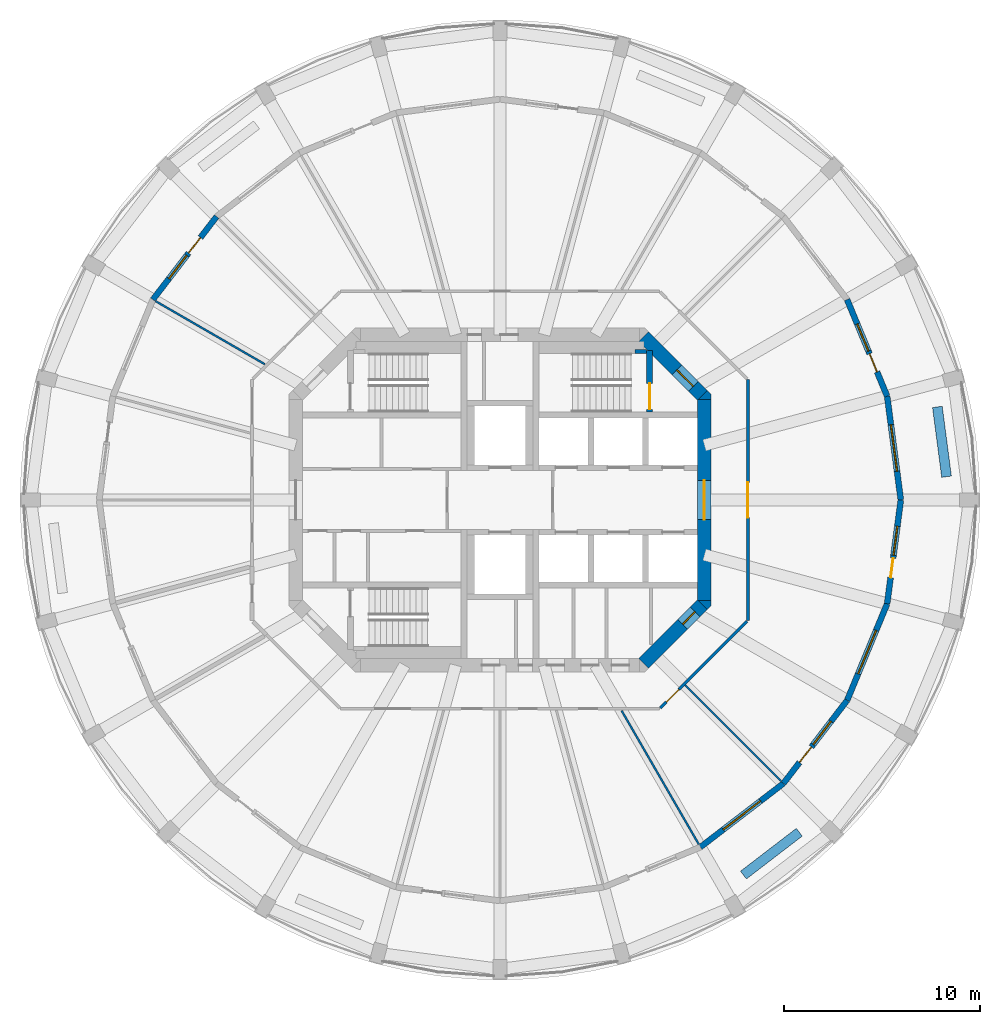
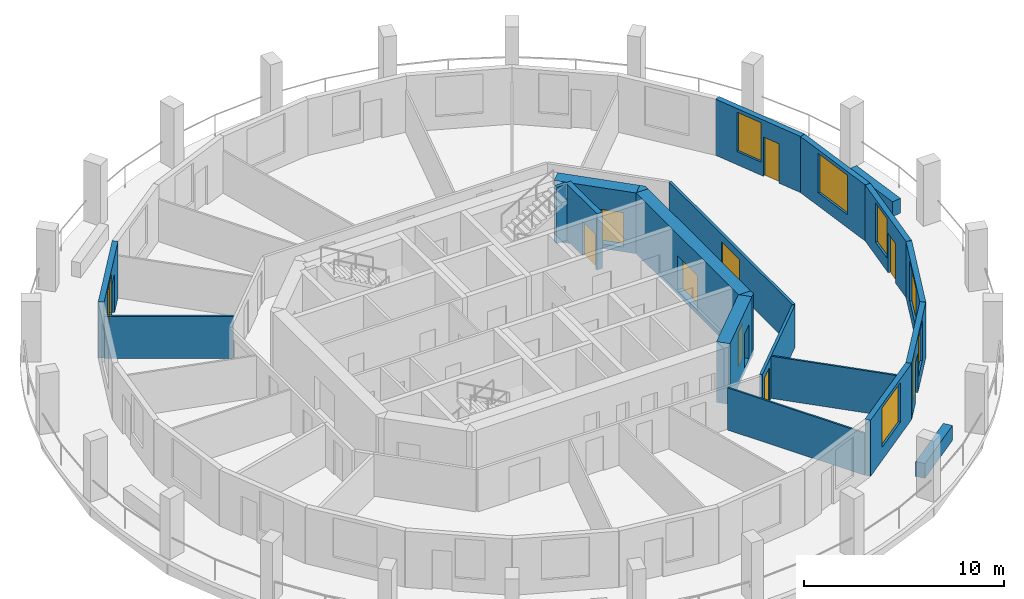
# One storey, part 5 of 9: 21 walls, 10 doors, 7 windows, 17 openings.
"""IFC4 building model written with IfcOpenShell, lengths in metres."""

from ifc_helpers import new_model, si_unit, direction, frame, frame_2d, origin, place, context, subcontext, project, spatial, polyline, rectangle, outline, extrude, material, layer, layer_set, type_object, element, fill, save


model = new_model("IFC4")

# Units and contexts
model_context = context("Model", 3, precision=1e-05, world=origin(), true_north=direction((0.0, 1.0)))
body_context = subcontext(model_context, "Body", "Model", "MODEL_VIEW")
ifc_project = project(units=[si_unit("LENGTHUNIT", "METRE"), si_unit("AREAUNIT", "SQUARE_METRE"), si_unit("VOLUMEUNIT", "CUBIC_METRE"), si_unit("PLANEANGLEUNIT", "RADIAN"), si_unit("MASSUNIT", "GRAM", prefix="KILO")], contexts=[model_context])

# Site, building, storey
site_placement = place(None, origin())
site = spatial("IfcSite", under=ifc_project, at=site_placement, CompositionType="ELEMENT")
building_placement = place(site_placement, origin())
building = spatial("IfcBuilding", under=site, at=building_placement, Name="Torre Triforio", CompositionType="ELEMENT")
storey_placement = place(building_placement, frame((0.0, 0.0, 240.89990234375)))
storey = spatial("IfcBuildingStorey", under=building, at=storey_placement, Name="L55", CompositionType="ELEMENT", Elevation=240.89990234375)

# Wall, opening, door
ifc_material_1 = material(Name="Concrete C50", Category="concrete")
ifc_layer_1 = layer(ifc_material_1, 0.699951171875)
ifc_layer_set_1 = layer_set([ifc_layer_1], Name="Concrete C50")
wall_type_1 = type_object("IfcWallType", Name="Core wall 700 mm C50 EI 120", PredefinedType="SHEAR", material=ifc_layer_set_1)
wall_1_placement = place(storey_placement, frame((10.449951171875, -5.1298828125, -0.27978515625), z_axis=(0.0, 0.0, 1.0), x_axis=(0.0, 1.0, 0.0)))
wall_1 = element("IfcWall", 1, at=wall_1_placement, inside=storey, type_object=wall_type_1, Name="Core wall", PredefinedType="SHEAR", context=body_context, shape_type="SweptSolid", body=[
    extrude(rectangle(XDim=10.259765625, YDim=0.699951171875, at=frame_2d((5.1298828125, 0.0))), origin(), (0.0, 0.0, 1.0), 3.699951171875),
])
opening_1_placement = place(wall_1_placement, frame((4.1298828125, 0.0, 0.280029296875)))
opening_1 = element("IfcOpeningElement", 2, at=opening_1_placement, cuts=wall_1, Name="Opening E-RING", PredefinedType="OPENING", context=body_context, shape_type="SweptSolid", body=[
    extrude(rectangle(XDim=2.0, YDim=2.10009765625, at=frame_2d((1.0, 1.050048828125))), frame((0.0, 0.35986328125, 0.0), z_axis=(0.0, -1.0, 0.0), x_axis=(1.0, 0.0, 0.0)), (0.0, 0.0, 1.0), 0.719970703125),
])
ifc_material_2 = material(Name="Hollow metal fire door leaf")
door_type_1 = type_object("IfcDoorType", Name="Lobby door 2000 x 2100 EI 60", OperationType="DOUBLE_DOOR_SINGLE_SWING", PredefinedType="DOOR", material=ifc_material_2)
door_1_placement = place(opening_1_placement, origin())
door_1 = element("IfcDoor", 3, at=door_1_placement, inside=storey, type_object=door_type_1, Name="Core door E-RING", OperationType="DOUBLE_DOOR_SINGLE_SWING", OverallHeight=2.10009765625, OverallWidth=2.0, PredefinedType="DOOR", context=body_context, shape_type="SweptSolid", body=[
    extrude(rectangle(XDim=2.0, YDim=2.10009765625, at=frame_2d((1.0, 1.050048828125))), frame((0.0, 0.02490234375, 0.0), z_axis=(0.0, -1.0, 0.0), x_axis=(1.0, 0.0, 0.0)), (0.0, 0.0, 1.0), 0.050048828125),
])
fill(opening_1, door_1)

wall_2_placement = place(storey_placement, frame((7.347412109375, 8.347412109375, -0.27978515625), z_axis=(0.0, 0.0, 1.0), x_axis=(0.707106781187, -0.707106781187, 0.0)))
wall_2 = element("IfcWall", 4, at=wall_2_placement, inside=storey, type_object=wall_type_1, Name="Core wall", PredefinedType="SHEAR", context=body_context, shape_type="SweptSolid", body=[
    extrude(rectangle(XDim=4.24267578125, YDim=0.699951171875, at=frame_2d((2.121337890625, 0.0))), origin(), (0.0, 0.0, 1.0), 3.699951171875),
])
opening_2_placement = place(wall_2_placement, frame((2.392578125, 0.0, 0.280029296875)))
opening_2 = element("IfcOpeningElement", 5, at=opening_2_placement, cuts=wall_2, Name="Opening ST2-EXIT", PredefinedType="OPENING", context=body_context, shape_type="SweptSolid", body=[
    extrude(rectangle(XDim=1.199951171875, YDim=2.10009765625, at=frame_2d((0.60009765625, 1.050048828125))), frame((0.0, 0.35986328125, 0.0), z_axis=(0.0, -1.0, 0.0), x_axis=(1.0, 0.0, 0.0)), (0.0, 0.0, 1.0), 0.719970703125),
])
door_type_2 = type_object("IfcDoorType", Name="Stair lobby door 1200 x 2100 EI 60", OperationType="NOTDEFINED", PredefinedType="DOOR", material=ifc_material_2)
door_2_placement = place(opening_2_placement, origin())
door_2 = element("IfcDoor", 6, at=door_2_placement, inside=storey, type_object=door_type_2, Name="Core door ST2-EXIT", OperationType="SINGLE_SWING_RIGHT", OverallHeight=2.10009765625, OverallWidth=1.199951171875, PredefinedType="DOOR", context=body_context, shape_type="SweptSolid", body=[
    extrude(rectangle(XDim=1.199951171875, YDim=2.10009765625, at=frame_2d((0.60009765625, 1.050048828125))), frame((0.0, 0.02490234375, 0.0), z_axis=(0.0, -1.0, 0.0), x_axis=(1.0, 0.0, 0.0)), (0.0, 0.0, 1.0), 0.050048828125),
])
fill(opening_2, door_2)

wall_3_placement = place(storey_placement, frame((10.347412109375, -5.347412109375, -0.27978515625), z_axis=(0.0, 0.0, 1.0), x_axis=(-0.707106781187, -0.707106781187, 0.0)))
wall_3 = element("IfcWall", 7, at=wall_3_placement, inside=storey, type_object=wall_type_1, Name="Core wall", PredefinedType="SHEAR", context=body_context, shape_type="SweptSolid", body=[
    extrude(rectangle(XDim=4.24267578125, YDim=0.699951171875, at=frame_2d((2.121337890625, 0.0))), origin(), (0.0, 0.0, 1.0), 3.699951171875),
])
opening_3_placement = place(wall_3_placement, frame((0.52001953125, 0.0, 0.280029296875)))
opening_3 = element("IfcOpeningElement", 8, at=opening_3_placement, cuts=wall_3, Name="Opening SE-04", PredefinedType="OPENING", context=body_context, shape_type="SweptSolid", body=[
    extrude(rectangle(XDim=0.89990234375, YDim=2.10009765625, at=frame_2d((0.449951171875, 1.050048828125))), frame((0.0, 0.35986328125, 0.0), z_axis=(0.0, -1.0, 0.0), x_axis=(1.0, 0.0, 0.0)), (0.0, 0.0, 1.0), 0.719970703125),
])
door_type_3 = type_object("IfcDoorType", Name="Room door 900 x 2100 EI 60", OperationType="NOTDEFINED", PredefinedType="DOOR", material=ifc_material_2)
door_3_placement = place(opening_3_placement, origin())
door_3 = element("IfcDoor", 9, at=door_3_placement, inside=storey, type_object=door_type_3, Name="Core door SE-04", OperationType="SINGLE_SWING_RIGHT", OverallHeight=2.10009765625, OverallWidth=0.89990234375, PredefinedType="DOOR", context=body_context, shape_type="SweptSolid", body=[
    extrude(rectangle(XDim=0.89990234375, YDim=2.10009765625, at=frame_2d((0.449951171875, 1.050048828125))), frame((0.0, 0.02490234375, 0.0), z_axis=(0.0, -1.0, 0.0), x_axis=(1.0, 0.0, 0.0)), (0.0, 0.0, 1.0), 0.050048828125),
])
fill(opening_3, door_3)

# Walls
wall_4_placement = place(storey_placement, frame((0.0, 0.0, -0.27978515625)))
element("IfcWall", 10, at=wall_4_placement, inside=storey, type_object=wall_type_1, Name="Core wall", PredefinedType="SHEAR", context=body_context, shape_type="SweptSolid", body=[
    extrude(outline(polyline([(10.800048828125, -5.389892578125), (10.594970703125, -5.594970703125), (10.594970703125, -5.594970703125), (10.594970703125, -5.594970703125), (10.1298828125, -5.1298828125), (10.800048828125, -5.1298828125), (10.800048828125, -5.1298828125), (10.800048828125, -5.389892578125)])), origin(), (0.0, 0.0, 1.0), 3.699951171875),
])
wall_5_placement = place(storey_placement, frame((0.0, 0.0, -0.27978515625)))
element("IfcWall", 11, at=wall_5_placement, inside=storey, type_object=wall_type_1, Name="Core wall", PredefinedType="SHEAR", context=body_context, shape_type="SweptSolid", body=[
    extrude(outline(polyline([(10.800048828125, 5.389892578125), (10.800048828125, 5.1298828125), (10.800048828125, 5.1298828125), (10.1298828125, 5.1298828125), (10.594970703125, 5.594970703125), (10.594970703125, 5.594970703125), (10.594970703125, 5.594970703125), (10.800048828125, 5.389892578125)])), origin(), (0.0, 0.0, 1.0), 3.699951171875),
])

# Wall, opening, door
ifc_material_3 = material(Name="Plasterboard on metal studs")
ifc_layer_2 = layer(ifc_material_3, 0.14990234375)
ifc_layer_set_2 = layer_set([ifc_layer_2], Name="Plasterboard on metal studs")
wall_type_2 = type_object("IfcWallType", Name="Corridor and tenancy wall 150 mm EI 60", PredefinedType="PARTITIONING", material=ifc_layer_set_2)
wall_6_placement = place(storey_placement, frame((12.637939453125, -6.20361328125, 0.0), z_axis=(0.0, 0.0, 1.0), x_axis=(-0.707106781187, -0.707106781187, 0.0)))
wall_6 = element("IfcWall", 12, at=wall_6_placement, inside=storey, type_object=wall_type_2, Name="Partition 1", PredefinedType="PARTITIONING", context=body_context, shape_type="SweptSolid", body=[
    extrude(rectangle(XDim=6.27099609375, YDim=0.14990234375, at=frame_2d((3.135498046875, 0.0))), origin(), (0.0, 0.0, 1.0), 2.570068359375),
])
opening_4_placement = place(wall_6_placement, frame((4.935302734375, 0.0, 0.0)))
opening_4 = element("IfcOpeningElement", 13, at=opening_4_placement, cuts=wall_6, Name="Opening O8-05", PredefinedType="OPENING", context=body_context, shape_type="SweptSolid", body=[
    extrude(rectangle(XDim=0.89990234375, YDim=2.10009765625, at=frame_2d((0.449951171875, 1.050048828125))), frame((0.0, 0.0849609375, 0.0), z_axis=(0.0, -1.0, 0.0), x_axis=(1.0, 0.0, 0.0)), (0.0, 0.0, 1.0), 0.169921875),
])
ifc_material_4 = material(Name="Timber", Category="wood")
door_type_4 = type_object("IfcDoorType", Name="Door 900 x 2100 single leaf EI 30", OperationType="NOTDEFINED", PredefinedType="DOOR", material=ifc_material_4)
door_4_placement = place(opening_4_placement, origin())
door_4 = element("IfcDoor", 14, at=door_4_placement, inside=storey, type_object=door_type_4, Name="Door O8-05", OperationType="SINGLE_SWING_LEFT", OverallHeight=2.10009765625, OverallWidth=0.89990234375, PredefinedType="DOOR", context=body_context, shape_type="SweptSolid", body=[
    extrude(rectangle(XDim=0.89990234375, YDim=2.10009765625, at=frame_2d((0.449951171875, 1.050048828125))), frame((0.0, 0.02490234375, 0.0), z_axis=(0.0, -1.0, 0.0), x_axis=(1.0, 0.0, 0.0)), (0.0, 0.0, 1.0), 0.050048828125),
])
fill(opening_4, door_4)

wall_7_placement = place(storey_placement, frame((12.675048828125, 6.16650390625, 0.0), z_axis=(0.0, 0.0, 1.0), x_axis=(0.0, -1.0, 0.0)))
wall_7 = element("IfcWall", 15, at=wall_7_placement, inside=storey, type_object=wall_type_2, Name="Partition 10", PredefinedType="PARTITIONING", context=body_context, shape_type="SweptSolid", body=[
    extrude(rectangle(XDim=12.3330078125, YDim=0.14990234375, at=frame_2d((6.16650390625, 0.0))), origin(), (0.0, 0.0, 1.0), 2.570068359375),
])
opening_5_placement = place(wall_7_placement, frame((5.2666015625, 0.0, 0.0)))
opening_5 = element("IfcOpeningElement", 16, at=opening_5_placement, cuts=wall_7, Name="Opening O8-06", PredefinedType="OPENING", context=body_context, shape_type="SweptSolid", body=[
    extrude(rectangle(XDim=1.800048828125, YDim=2.10009765625, at=frame_2d((0.89990234375, 1.050048828125))), frame((0.0, 0.0849609375, 0.0), z_axis=(0.0, -1.0, 0.0), x_axis=(1.0, 0.0, 0.0)), (0.0, 0.0, 1.0), 0.169921875),
])
door_type_5 = type_object("IfcDoorType", Name="Door 1800 x 2100 double leaf EI 30", OperationType="DOUBLE_DOOR_SINGLE_SWING", PredefinedType="DOOR", material=ifc_material_4)
door_5_placement = place(opening_5_placement, origin())
door_5 = element("IfcDoor", 17, at=door_5_placement, inside=storey, type_object=door_type_5, Name="Door O8-06", OperationType="DOUBLE_DOOR_SINGLE_SWING", OverallHeight=2.10009765625, OverallWidth=1.800048828125, PredefinedType="DOOR", context=body_context, shape_type="SweptSolid", body=[
    extrude(rectangle(XDim=1.800048828125, YDim=2.10009765625, at=frame_2d((0.89990234375, 1.050048828125))), frame((0.0, 0.02490234375, 0.0), z_axis=(0.0, -1.0, 0.0), x_axis=(1.0, 0.0, 0.0)), (0.0, 0.0, 1.0), 0.050048828125),
])
fill(opening_5, door_5)

# Walls
ifc_layer_3 = layer(ifc_material_3, 0.10009765625)
ifc_layer_set_3 = layer_set([ifc_layer_3], Name="Plasterboard on metal studs")
wall_type_3 = type_object("IfcWallType", Name="Partition 100 mm board on metal studs", PredefinedType="PARTITIONING", material=ifc_layer_set_3)
wall_8_placement = place(storey_placement, frame((-12.025146484375, 6.94287109375, 0.0), z_axis=(0.0, 0.0, 1.0), x_axis=(-0.866026773083, 0.499997628298, 0.0)))
element("IfcWall", 18, at=wall_8_placement, inside=storey, type_object=wall_type_3, Name="Partition 17", PredefinedType="PARTITIONING", context=body_context, shape_type="SweptSolid", body=[
    extrude(rectangle(XDim=6.451171875, YDim=0.10009765625, at=frame_2d((3.2255859375, 0.0))), origin(), (0.0, 0.0, 1.0), 2.570068359375),
])
wall_9_placement = place(storey_placement, frame((6.220703125, -10.774658203125, 0.0), z_axis=(0.0, 0.0, 1.0), x_axis=(0.500016891966, -0.866015650984, 0.0)))
element("IfcWall", 19, at=wall_9_placement, inside=storey, type_object=wall_type_3, Name="Partition 25", PredefinedType="PARTITIONING", context=body_context, shape_type="SweptSolid", body=[
    extrude(rectangle(XDim=7.895263671875, YDim=0.10009765625, at=frame_2d((3.94775390625, 0.0))), origin(), (0.0, 0.0, 1.0), 2.570068359375),
])
wall_10_placement = place(storey_placement, frame((9.473876953125, -9.473876953125, 0.0), z_axis=(0.0, 0.0, 1.0), x_axis=(0.707106781187, -0.707106781187, 0.0)))
element("IfcWall", 20, at=wall_10_placement, inside=storey, type_object=wall_type_3, Name="Partition 26", PredefinedType="PARTITIONING", context=body_context, shape_type="SweptSolid", body=[
    extrude(rectangle(XDim=6.9384765625, YDim=0.10009765625, at=frame_2d((3.46923828125, 0.0))), origin(), (0.0, 0.0, 1.0), 2.570068359375),
])
ifc_material_5 = material(Name="Limestone cladding", Category="masonry")
ifc_layer_4 = layer(ifc_material_5, 0.10009765625)
ifc_material_6 = material(Name="Concrete C40", Category="concrete")
ifc_layer_5 = layer(ifc_material_6, 0.39990234375)
ifc_layer_set_4 = layer_set([ifc_layer_4, ifc_layer_5], Name="Limestone cladding / Concrete C40")
wall_type_4 = type_object("IfcWallType", Name="Planter wall 500", PredefinedType="PARAPET", material=ifc_layer_set_4)
wall_11_placement = place(storey_placement, frame((22.83984375, 1.19140625, 0.0), z_axis=(0.0, 0.0, 1.0), x_axis=(-0.130484336385, 0.9914503709, 0.0)))
element("IfcWall", 21, at=wall_11_placement, inside=storey, type_object=wall_type_4, Name="Planter L55 bay 01", PredefinedType="PARAPET", context=body_context, shape_type="SweptSolid", body=[
    extrude(rectangle(XDim=3.599853515625, YDim=0.5, at=frame_2d((1.7998046875, 0.0))), origin(), (0.0, 0.0, 1.0), 0.900146484375),
])
wall_12_placement = place(storey_placement, frame((12.45166015625, -19.18408203125, 0.0), z_axis=(0.0, 0.0, 1.0), x_axis=(0.793384730612, 0.608720518162, 0.0)))
element("IfcWall", 22, at=wall_12_placement, inside=storey, type_object=wall_type_4, Name="Planter L55 bay 21", PredefinedType="PARAPET", context=body_context, shape_type="SweptSolid", body=[
    extrude(rectangle(XDim=3.60009765625, YDim=0.5, at=frame_2d((1.800048828125, 0.0))), origin(), (0.0, 0.0, 1.0), 0.900146484375),
])
ifc_layer_6 = layer(ifc_material_1, 0.199951171875)
ifc_layer_set_5 = layer_set([ifc_layer_6], Name="Concrete C50")
wall_type_5 = type_object("IfcWallType", Name="Stair wall 200 mm C50 EI 120", PredefinedType="SHEAR", material=ifc_layer_set_5)
wall_13_placement = place(storey_placement, frame((6.89990234375, 7.60009765625, 0.0), z_axis=(0.0, 0.0, 1.0), x_axis=(1.0, 0.0, 0.0)))
element("IfcWall", 23, at=wall_13_placement, inside=storey, type_object=wall_type_5, Name="Stair wall", PredefinedType="SHEAR", context=body_context, shape_type="SweptSolid", body=[
    extrude(rectangle(XDim=0.60009765625, YDim=0.199951171875, at=frame_2d((0.300048828125, 0.0))), origin(), (0.0, 0.0, 1.0), 3.420166015625),
])

# Wall, opening, door
ifc_layer_7 = layer(ifc_material_1, 0.300048828125)
ifc_layer_set_6 = layer_set([ifc_layer_7], Name="Concrete C50")
wall_type_6 = type_object("IfcWallType", Name="Stair wall 300 mm C50 EI 120", PredefinedType="SHEAR", material=ifc_layer_set_6)
wall_14_placement = place(storey_placement, frame((7.64990234375, 4.5, 0.0), z_axis=(0.0, 0.0, 1.0), x_axis=(0.0, 1.0, 0.0)))
wall_14 = element("IfcWall", 24, at=wall_14_placement, inside=storey, type_object=wall_type_6, Name="Stair wall", PredefinedType="SHEAR", context=body_context, shape_type="SweptSolid", body=[
    extrude(rectangle(XDim=3.139892578125, YDim=0.300048828125, at=frame_2d((1.56982421875, 0.0))), origin(), (0.0, 0.0, 1.0), 3.420166015625),
])
opening_6_placement = place(wall_14_placement, frame((0.139892578125, 0.0, 0.0)))
opening_6 = element("IfcOpeningElement", 25, at=opening_6_placement, cuts=wall_14, Name="Opening ST2-STA", PredefinedType="OPENING", context=body_context, shape_type="SweptSolid", body=[
    extrude(rectangle(XDim=1.320068359375, YDim=2.10009765625, at=frame_2d((0.66015625, 1.050048828125))), frame((0.0, 0.159912109375, 0.0), z_axis=(0.0, -1.0, 0.0), x_axis=(1.0, 0.0, 0.0)), (0.0, 0.0, 1.0), 0.320068359375),
])
door_type_6 = type_object("IfcDoorType", Name="Stair door 1320 x 2100 EI 90", OperationType="DOUBLE_DOOR_SINGLE_SWING", PredefinedType="DOOR", material=ifc_material_2)
door_6_placement = place(opening_6_placement, origin())
door_6 = element("IfcDoor", 26, at=door_6_placement, inside=storey, type_object=door_type_6, Name="Core door ST2-ST", OperationType="DOUBLE_DOOR_SINGLE_SWING", OverallHeight=2.10009765625, OverallWidth=1.320068359375, PredefinedType="DOOR", context=body_context, shape_type="SweptSolid", body=[
    extrude(rectangle(XDim=1.320068359375, YDim=2.10009765625, at=frame_2d((0.66015625, 1.050048828125))), frame((0.0, 0.02490234375, 0.0), z_axis=(0.0, -1.0, 0.0), x_axis=(1.0, 0.0, 0.0)), (0.0, 0.0, 1.0), 0.050048828125),
])
fill(opening_6, door_6)

# Wall, opening, window
ifc_layer_8 = layer(ifc_material_5, 0.10009765625)
ifc_layer_9 = layer(ifc_material_6, 0.199951171875)
ifc_layer_set_7 = layer_set([ifc_layer_8, ifc_layer_9], Name="Limestone cladding / Concrete C40")
wall_type_7 = type_object("IfcWallType", Name="Stone-faced composite wall 300", PredefinedType="STANDARD", material=ifc_layer_set_7)
wall_15_placement = place(storey_placement, frame((20.5, 0.0, 0.0), z_axis=(0.0, 0.0, 1.0), x_axis=(-0.130517056518, 0.991446064069, 0.0)))
wall_15 = element("IfcWall", 27, at=wall_15_placement, inside=storey, type_object=wall_type_7, Name="External wall L55 bay 01", PredefinedType="STANDARD", context=body_context, shape_type="SweptSolid", body=[
    extrude(rectangle(XDim=5.351806640625, YDim=0.300048828125, at=frame_2d((2.67578125, 0.0))), origin(), (0.0, 0.0, 1.0), 3.420166015625),
])
opening_7_placement = place(wall_15_placement, frame((1.475830078125, 0.0, 0.800048828125)))
opening_7 = element("IfcOpeningElement", 28, at=opening_7_placement, cuts=wall_15, Name="Opening O8-W01", PredefinedType="OPENING", context=body_context, shape_type="SweptSolid", body=[
    extrude(rectangle(XDim=2.39990234375, YDim=2.39990234375, at=frame_2d((1.199951171875, 1.199951171875))), frame((0.0, 0.159912109375, 0.0), z_axis=(0.0, -1.0, 0.0), x_axis=(1.0, 0.0, 0.0)), (0.0, 0.0, 1.0), 0.320068359375),
])
ifc_material_7 = material(Name="Aluminium frame with clear double glazing", Category="aluminium")
window_type_1 = type_object("IfcWindowType", Name="Punched window 2400 x 2400", PartitioningType="DOUBLE_PANEL_VERTICAL", PredefinedType="WINDOW", material=ifc_material_7)
window_1_placement = place(opening_7_placement, origin())
window_1 = element("IfcWindow", 29, at=window_1_placement, inside=storey, type_object=window_type_1, Name="Window EWN4 L55 bay 01", OverallHeight=2.39990234375, OverallWidth=2.39990234375, PartitioningType="SINGLE_PANEL", PredefinedType="WINDOW", context=body_context, shape_type="SweptSolid", body=[
    extrude(rectangle(XDim=2.39990234375, YDim=2.39990234375, at=frame_2d((1.199951171875, 1.199951171875))), frame((0.0, 0.030029296875, 0.0), z_axis=(0.0, -1.0, 0.0), x_axis=(1.0, 0.0, 0.0)), (0.0, 0.0, 1.0), 0.06005859375),
])
fill(opening_7, window_1)

# Wall, openings, door, window
wall_16_placement = place(storey_placement, frame((19.801513671875, 5.305908203125, 0.0), z_axis=(0.0, 0.0, 1.0), x_axis=(-0.382713071139, 0.923867255172, 0.0)))
wall_16 = element("IfcWall", 30, at=wall_16_placement, inside=storey, type_object=wall_type_7, Name="External wall L55 bay 02", PredefinedType="STANDARD", context=body_context, shape_type="SweptSolid", body=[
    extrude(rectangle(XDim=5.3515625, YDim=0.300048828125, at=frame_2d((2.67578125, 0.0))), origin(), (0.0, 0.0, 1.0), 3.420166015625),
])
opening_8_placement = place(wall_16_placement, frame((1.350830078125, 0.0, 0.0)))
opening_8 = element("IfcOpeningElement", 31, at=opening_8_placement, cuts=wall_16, Name="Opening O8-D02", PredefinedType="OPENING", context=body_context, shape_type="SweptSolid", body=[
    extrude(rectangle(XDim=1.0, YDim=2.39990234375, at=frame_2d((0.5, 1.199951171875))), frame((0.0, 0.159912109375, 0.0), z_axis=(0.0, -1.0, 0.0), x_axis=(1.0, 0.0, 0.0)), (0.0, 0.0, 1.0), 0.320068359375),
])
opening_9_placement = place(wall_16_placement, frame((2.500732421875, 0.0, 0.800048828125)))
opening_9 = element("IfcOpeningElement", 32, at=opening_9_placement, cuts=wall_16, Name="Opening O8-W02A", PredefinedType="OPENING", context=body_context, shape_type="SweptSolid", body=[
    extrude(rectangle(XDim=1.5, YDim=2.39990234375, at=frame_2d((0.75, 1.199951171875))), frame((0.0, 0.159912109375, 0.0), z_axis=(0.0, -1.0, 0.0), x_axis=(1.0, 0.0, 0.0)), (0.0, 0.0, 1.0), 0.320068359375),
])
door_type_7 = type_object("IfcDoorType", Name="Loggia door 1000 x 2400", OperationType="NOTDEFINED", PredefinedType="DOOR", material=ifc_material_7)
door_7_placement = place(opening_8_placement, origin())
door_7 = element("IfcDoor", 33, at=door_7_placement, inside=storey, type_object=door_type_7, Name="Loggia door L55 bay 02", OperationType="SINGLE_SWING_LEFT", OverallHeight=2.39990234375, OverallWidth=1.0, PredefinedType="DOOR", context=body_context, shape_type="SweptSolid", body=[
    extrude(rectangle(XDim=1.0, YDim=2.39990234375, at=frame_2d((0.5, 1.199951171875))), frame((0.0, 0.02490234375, 0.0), z_axis=(0.0, -1.0, 0.0), x_axis=(1.0, 0.0, 0.0)), (0.0, 0.0, 1.0), 0.050048828125),
])
fill(opening_8, door_7)
window_type_2 = type_object("IfcWindowType", Name="Side window 1500 x 2400", PartitioningType="SINGLE_PANEL", PredefinedType="WINDOW", material=ifc_material_7)
window_2_placement = place(opening_9_placement, origin())
window_2 = element("IfcWindow", 34, at=window_2_placement, inside=storey, type_object=window_type_2, Name="Side window EWN14 L55 bay 02", OverallHeight=2.39990234375, OverallWidth=1.5, PartitioningType="SINGLE_PANEL", PredefinedType="WINDOW", context=body_context, shape_type="SweptSolid", body=[
    extrude(rectangle(XDim=1.5, YDim=2.39990234375, at=frame_2d((0.75, 1.199951171875))), frame((0.0, 0.030029296875, 0.0), z_axis=(0.0, -1.0, 0.0), x_axis=(1.0, 0.0, 0.0)), (0.0, 0.0, 1.0), 0.06005859375),
])
fill(opening_9, window_2)

wall_17_placement = place(storey_placement, frame((-14.49560546875, 14.49560546875, 0.0), z_axis=(0.0, 0.0, 1.0), x_axis=(-0.60876670321, -0.793349293227, 0.0)))
wall_17 = element("IfcWall", 35, at=wall_17_placement, inside=storey, type_object=wall_type_7, Name="External wall L55 bay 10", PredefinedType="STANDARD", context=body_context, shape_type="SweptSolid", body=[
    extrude(rectangle(XDim=5.3515625, YDim=0.300048828125, at=frame_2d((2.67578125, 0.0))), origin(), (0.0, 0.0, 1.0), 3.420166015625),
])
opening_10_placement = place(wall_17_placement, frame((1.350830078125, 0.0, 0.0)))
opening_10 = element("IfcOpeningElement", 36, at=opening_10_placement, cuts=wall_17, Name="Opening O8-D10", PredefinedType="OPENING", context=body_context, shape_type="SweptSolid", body=[
    extrude(rectangle(XDim=1.0, YDim=2.39990234375, at=frame_2d((0.5, 1.199951171875))), frame((0.0, 0.159912109375, 0.0), z_axis=(0.0, -1.0, 0.0), x_axis=(1.0, 0.0, 0.0)), (0.0, 0.0, 1.0), 0.320068359375),
])
opening_11_placement = place(wall_17_placement, frame((2.500732421875, 0.0, 0.800048828125)))
opening_11 = element("IfcOpeningElement", 37, at=opening_11_placement, cuts=wall_17, Name="Opening O8-W10A", PredefinedType="OPENING", context=body_context, shape_type="SweptSolid", body=[
    extrude(rectangle(XDim=1.5, YDim=2.39990234375, at=frame_2d((0.75, 1.199951171875))), frame((0.0, 0.159912109375, 0.0), z_axis=(0.0, -1.0, 0.0), x_axis=(1.0, 0.0, 0.0)), (0.0, 0.0, 1.0), 0.320068359375),
])
door_8_placement = place(opening_10_placement, origin())
door_8 = element("IfcDoor", 38, at=door_8_placement, inside=storey, type_object=door_type_7, Name="Loggia door L55 bay 10", OperationType="SINGLE_SWING_LEFT", OverallHeight=2.39990234375, OverallWidth=1.0, PredefinedType="DOOR", context=body_context, shape_type="SweptSolid", body=[
    extrude(rectangle(XDim=1.0, YDim=2.39990234375, at=frame_2d((0.5, 1.199951171875))), frame((0.0, 0.02490234375, 0.0), z_axis=(0.0, -1.0, 0.0), x_axis=(1.0, 0.0, 0.0)), (0.0, 0.0, 1.0), 0.050048828125),
])
fill(opening_10, door_8)
window_3_placement = place(opening_11_placement, origin())
window_3 = element("IfcWindow", 39, at=window_3_placement, inside=storey, type_object=window_type_2, Name="Side window EWN14 L55 bay 10", OverallHeight=2.39990234375, OverallWidth=1.5, PartitioningType="SINGLE_PANEL", PredefinedType="WINDOW", context=body_context, shape_type="SweptSolid", body=[
    extrude(rectangle(XDim=1.5, YDim=2.39990234375, at=frame_2d((0.75, 1.199951171875))), frame((0.0, 0.030029296875, 0.0), z_axis=(0.0, -1.0, 0.0), x_axis=(1.0, 0.0, 0.0)), (0.0, 0.0, 1.0), 0.06005859375),
])
fill(opening_11, window_3)

# Wall, opening, window
wall_18_placement = place(storey_placement, frame((10.25, -17.75341796875, 0.0), z_axis=(0.0, 0.0, 1.0), x_axis=(0.793349293227, 0.60876670321, 0.0)))
wall_18 = element("IfcWall", 40, at=wall_18_placement, inside=storey, type_object=wall_type_7, Name="External wall L55 bay 21", PredefinedType="STANDARD", context=body_context, shape_type="SweptSolid", body=[
    extrude(rectangle(XDim=5.3515625, YDim=0.300048828125, at=frame_2d((2.67578125, 0.0))), origin(), (0.0, 0.0, 1.0), 3.420166015625),
])
opening_12_placement = place(wall_18_placement, frame((1.475830078125, 0.0, 0.800048828125)))
opening_12 = element("IfcOpeningElement", 41, at=opening_12_placement, cuts=wall_18, Name="Opening O8-W21", PredefinedType="OPENING", context=body_context, shape_type="SweptSolid", body=[
    extrude(rectangle(XDim=2.39990234375, YDim=2.39990234375, at=frame_2d((1.199951171875, 1.199951171875))), frame((0.0, 0.159912109375, 0.0), z_axis=(0.0, -1.0, 0.0), x_axis=(1.0, 0.0, 0.0)), (0.0, 0.0, 1.0), 0.320068359375),
])
window_4_placement = place(opening_12_placement, origin())
window_4 = element("IfcWindow", 42, at=window_4_placement, inside=storey, type_object=window_type_1, Name="Window EWN4 L55 bay 21", OverallHeight=2.39990234375, OverallWidth=2.39990234375, PartitioningType="SINGLE_PANEL", PredefinedType="WINDOW", context=body_context, shape_type="SweptSolid", body=[
    extrude(rectangle(XDim=2.39990234375, YDim=2.39990234375, at=frame_2d((1.199951171875, 1.199951171875))), frame((0.0, 0.030029296875, 0.0), z_axis=(0.0, -1.0, 0.0), x_axis=(1.0, 0.0, 0.0)), (0.0, 0.0, 1.0), 0.06005859375),
])
fill(opening_12, window_4)

# Wall, openings, door, window
wall_19_placement = place(storey_placement, frame((14.49560546875, -14.49560546875, 0.0), z_axis=(0.0, 0.0, 1.0), x_axis=(0.60876670321, 0.793349293227, 0.0)))
wall_19 = element("IfcWall", 43, at=wall_19_placement, inside=storey, type_object=wall_type_7, Name="External wall L55 bay 22", PredefinedType="STANDARD", context=body_context, shape_type="SweptSolid", body=[
    extrude(rectangle(XDim=5.3515625, YDim=0.300048828125, at=frame_2d((2.67578125, 0.0))), origin(), (0.0, 0.0, 1.0), 3.420166015625),
])
opening_13_placement = place(wall_19_placement, frame((1.350830078125, 0.0, 0.0)))
opening_13 = element("IfcOpeningElement", 44, at=opening_13_placement, cuts=wall_19, Name="Opening O8-D22", PredefinedType="OPENING", context=body_context, shape_type="SweptSolid", body=[
    extrude(rectangle(XDim=1.0, YDim=2.39990234375, at=frame_2d((0.5, 1.199951171875))), frame((0.0, 0.159912109375, 0.0), z_axis=(0.0, -1.0, 0.0), x_axis=(1.0, 0.0, 0.0)), (0.0, 0.0, 1.0), 0.320068359375),
])
opening_14_placement = place(wall_19_placement, frame((2.500732421875, 0.0, 0.800048828125)))
opening_14 = element("IfcOpeningElement", 45, at=opening_14_placement, cuts=wall_19, Name="Opening O8-W22A", PredefinedType="OPENING", context=body_context, shape_type="SweptSolid", body=[
    extrude(rectangle(XDim=1.5, YDim=2.39990234375, at=frame_2d((0.75, 1.199951171875))), frame((0.0, 0.159912109375, 0.0), z_axis=(0.0, -1.0, 0.0), x_axis=(1.0, 0.0, 0.0)), (0.0, 0.0, 1.0), 0.320068359375),
])
door_9_placement = place(opening_13_placement, origin())
door_9 = element("IfcDoor", 46, at=door_9_placement, inside=storey, type_object=door_type_7, Name="Loggia door L55 bay 22", OperationType="SINGLE_SWING_LEFT", OverallHeight=2.39990234375, OverallWidth=1.0, PredefinedType="DOOR", context=body_context, shape_type="SweptSolid", body=[
    extrude(rectangle(XDim=1.0, YDim=2.39990234375, at=frame_2d((0.5, 1.199951171875))), frame((0.0, 0.02490234375, 0.0), z_axis=(0.0, -1.0, 0.0), x_axis=(1.0, 0.0, 0.0)), (0.0, 0.0, 1.0), 0.050048828125),
])
fill(opening_13, door_9)
window_5_placement = place(opening_14_placement, origin())
window_5 = element("IfcWindow", 47, at=window_5_placement, inside=storey, type_object=window_type_2, Name="Side window EWN14 L55 bay 22", OverallHeight=2.39990234375, OverallWidth=1.5, PartitioningType="SINGLE_PANEL", PredefinedType="WINDOW", context=body_context, shape_type="SweptSolid", body=[
    extrude(rectangle(XDim=1.5, YDim=2.39990234375, at=frame_2d((0.75, 1.199951171875))), frame((0.0, 0.030029296875, 0.0), z_axis=(0.0, -1.0, 0.0), x_axis=(1.0, 0.0, 0.0)), (0.0, 0.0, 1.0), 0.06005859375),
])
fill(opening_14, window_5)

# Wall, opening, window
wall_20_placement = place(storey_placement, frame((17.75341796875, -10.25, 0.0), z_axis=(0.0, 0.0, 1.0), x_axis=(0.382713071139, 0.923867255172, 0.0)))
wall_20 = element("IfcWall", 48, at=wall_20_placement, inside=storey, type_object=wall_type_7, Name="External wall L55 bay 23", PredefinedType="STANDARD", context=body_context, shape_type="SweptSolid", body=[
    extrude(rectangle(XDim=5.3515625, YDim=0.300048828125, at=frame_2d((2.67578125, 0.0))), origin(), (0.0, 0.0, 1.0), 3.420166015625),
])
opening_15_placement = place(wall_20_placement, frame((1.475830078125, 0.0, 0.800048828125)))
opening_15 = element("IfcOpeningElement", 49, at=opening_15_placement, cuts=wall_20, Name="Opening O8-W23", PredefinedType="OPENING", context=body_context, shape_type="SweptSolid", body=[
    extrude(rectangle(XDim=2.39990234375, YDim=2.39990234375, at=frame_2d((1.199951171875, 1.199951171875))), frame((0.0, 0.159912109375, 0.0), z_axis=(0.0, -1.0, 0.0), x_axis=(1.0, 0.0, 0.0)), (0.0, 0.0, 1.0), 0.320068359375),
])
window_6_placement = place(opening_15_placement, origin())
window_6 = element("IfcWindow", 50, at=window_6_placement, inside=storey, type_object=window_type_1, Name="Window EWN4 L55 bay 23", OverallHeight=2.39990234375, OverallWidth=2.39990234375, PartitioningType="SINGLE_PANEL", PredefinedType="WINDOW", context=body_context, shape_type="SweptSolid", body=[
    extrude(rectangle(XDim=2.39990234375, YDim=2.39990234375, at=frame_2d((1.199951171875, 1.199951171875))), frame((0.0, 0.030029296875, 0.0), z_axis=(0.0, -1.0, 0.0), x_axis=(1.0, 0.0, 0.0)), (0.0, 0.0, 1.0), 0.06005859375),
])
fill(opening_15, window_6)

# Wall, openings, door, window
wall_21_placement = place(storey_placement, frame((19.801513671875, -5.305908203125, 0.0), z_axis=(0.0, 0.0, 1.0), x_axis=(0.130517056518, 0.991446064069, 0.0)))
wall_21 = element("IfcWall", 51, at=wall_21_placement, inside=storey, type_object=wall_type_7, Name="External wall L55 bay 24", PredefinedType="STANDARD", context=body_context, shape_type="SweptSolid", body=[
    extrude(rectangle(XDim=5.351806640625, YDim=0.300048828125, at=frame_2d((2.67578125, 0.0))), origin(), (0.0, 0.0, 1.0), 3.420166015625),
])
opening_16_placement = place(wall_21_placement, frame((1.350830078125, 0.0, 0.0)))
opening_16 = element("IfcOpeningElement", 52, at=opening_16_placement, cuts=wall_21, Name="Opening O8-D24", PredefinedType="OPENING", context=body_context, shape_type="SweptSolid", body=[
    extrude(rectangle(XDim=1.0, YDim=2.39990234375, at=frame_2d((0.5, 1.199951171875))), frame((0.0, 0.159912109375, 0.0), z_axis=(0.0, -1.0, 0.0), x_axis=(1.0, 0.0, 0.0)), (0.0, 0.0, 1.0), 0.320068359375),
])
opening_17_placement = place(wall_21_placement, frame((2.500732421875, 0.0, 0.800048828125)))
opening_17 = element("IfcOpeningElement", 53, at=opening_17_placement, cuts=wall_21, Name="Opening O8-W24A", PredefinedType="OPENING", context=body_context, shape_type="SweptSolid", body=[
    extrude(rectangle(XDim=1.5, YDim=2.39990234375, at=frame_2d((0.75, 1.199951171875))), frame((0.0, 0.159912109375, 0.0), z_axis=(0.0, -1.0, 0.0), x_axis=(1.0, 0.0, 0.0)), (0.0, 0.0, 1.0), 0.320068359375),
])
door_10_placement = place(opening_16_placement, origin())
door_10 = element("IfcDoor", 54, at=door_10_placement, inside=storey, type_object=door_type_7, Name="Loggia door L55 bay 24", OperationType="SINGLE_SWING_LEFT", OverallHeight=2.39990234375, OverallWidth=1.0, PredefinedType="DOOR", context=body_context, shape_type="SweptSolid", body=[
    extrude(rectangle(XDim=1.0, YDim=2.39990234375, at=frame_2d((0.5, 1.199951171875))), frame((0.0, 0.02490234375, 0.0), z_axis=(0.0, -1.0, 0.0), x_axis=(1.0, 0.0, 0.0)), (0.0, 0.0, 1.0), 0.050048828125),
])
fill(opening_16, door_10)
window_7_placement = place(opening_17_placement, origin())
window_7 = element("IfcWindow", 55, at=window_7_placement, inside=storey, type_object=window_type_2, Name="Side window EWN14 L55 bay 24", OverallHeight=2.39990234375, OverallWidth=1.5, PartitioningType="SINGLE_PANEL", PredefinedType="WINDOW", context=body_context, shape_type="SweptSolid", body=[
    extrude(rectangle(XDim=1.5, YDim=2.39990234375, at=frame_2d((0.75, 1.199951171875))), frame((0.0, 0.030029296875, 0.0), z_axis=(0.0, -1.0, 0.0), x_axis=(1.0, 0.0, 0.0)), (0.0, 0.0, 1.0), 0.06005859375),
])
fill(opening_17, window_7)

save(model, "model.ifc")
